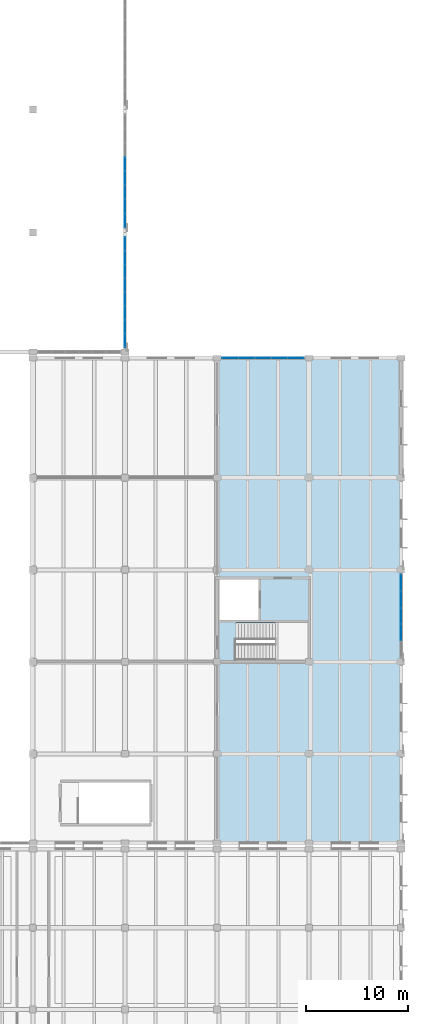
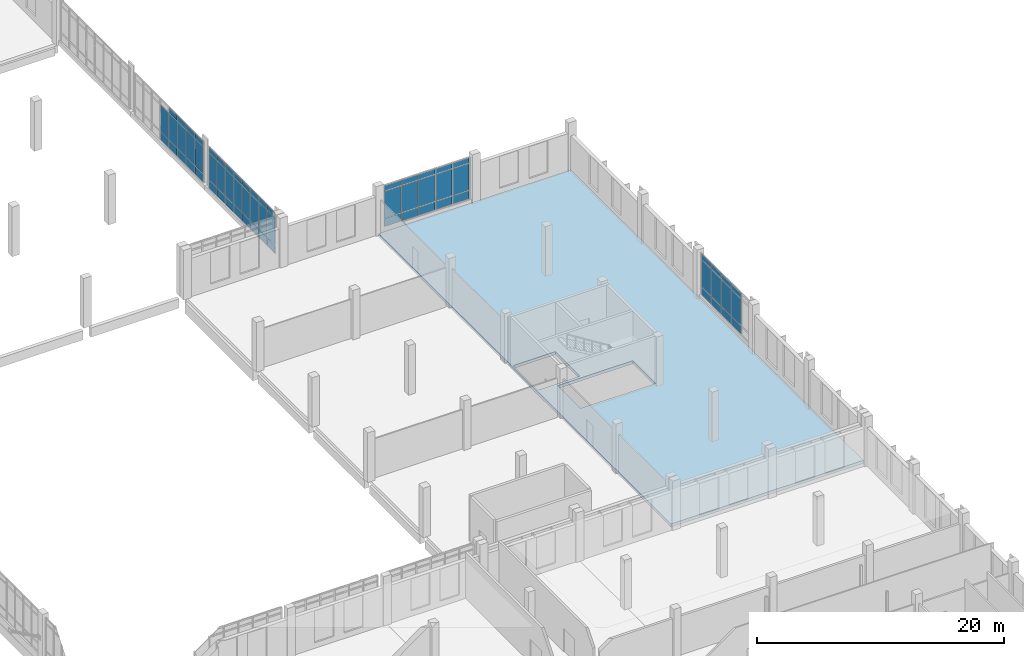
# One storey, part 67 of 110: 65 plates, 1 slab, 4 elements without a shape of their own.
"""IFC4 building model written with IfcOpenShell, lengths in metres."""

from ifc_helpers import new_model, si_unit, direction, frame, origin, origin_2d, place, context, subcontext, project, spatial, polyline, rectangle, outline, extrude, material, layer, layer_set, type_object, element, aggregate, save


model = new_model("IFC4")

# Units and contexts
model_context = context("Model", 3, precision=1e-05, world=origin(), true_north=direction((0.0, 1.0)))
body_context = subcontext(model_context, "Body", "Model", "MODEL_VIEW")
ifc_project = project(units=[si_unit("LENGTHUNIT", "METRE"), si_unit("AREAUNIT", "SQUARE_METRE"), si_unit("VOLUMEUNIT", "CUBIC_METRE"), si_unit("PLANEANGLEUNIT", "RADIAN"), si_unit("MASSUNIT", "GRAM", prefix="KILO")], contexts=[model_context])

# Site, building, storey
site_placement = place(None, origin())
site = spatial("IfcSite", under=ifc_project, at=site_placement, CompositionType="ELEMENT")
building_placement = place(site_placement, origin())
building = spatial("IfcBuilding", under=site, at=building_placement, Name="Zacnel Wholesale Market", CompositionType="ELEMENT")
storey_placement = place(building_placement, frame((0.0, 0.0, 6.300048828125)))
storey = spatial("IfcBuildingStorey", under=building, at=storey_placement, Name="L02", CompositionType="ELEMENT", Elevation=6.300048828125)

# Curtain wall, plates
ifc_material_1 = material(Name="Anodised aluminium", Category="aluminium")
ifc_layer_1 = layer(ifc_material_1, 0.159912109375)
ifc_layer_set_1 = layer_set([ifc_layer_1], Name="Anodised aluminium")
curtain_wall_type_1 = type_object("IfcCurtainWallType", Name="CW-COURT-4500", PredefinedType="NOTDEFINED", material=ifc_layer_set_1)
curtain_wall_1_placement = place(storey_placement, origin())
curtain_wall_1 = element("IfcCurtainWall", 1, at=curtain_wall_1_placement, inside=storey, type_object=curtain_wall_type_1, Name="Curtain wall ENV-R2-CW-L02-046", PredefinedType="NOTDEFINED")
ifc_material_2 = material(Name="Laminated hurricane-impact low-E insulated glass", Category="glass")
ifc_layer_2 = layer(ifc_material_2, 0.028076171875)
ifc_layer_set_2 = layer_set([ifc_layer_2], Name="Laminated hurricane-impact low-E insulated glass")
plate_type_1 = type_object("IfcPlateType", Name="CWP-PNL-01", PredefinedType="CURTAIN_PANEL", material=ifc_layer_set_2)
plate_1_placement = place(storey_placement, frame((199.2958984375, 95.699951171875, 1.330078125), z_axis=(0.0, 0.0, 1.0), x_axis=(1.0, 0.0, 0.0)))
plate_1 = element("IfcPlate", 2, at=plate_1_placement, type_object=plate_type_1, Name="ENV-R2-CW-L02-046 panel 1-2", PredefinedType="CURTAIN_PANEL", context=body_context, shape_type="SweptSolid", body=[
    extrude(rectangle(XDim=1.531982421875, YDim=0.028076171875, at=origin_2d()), origin(), (0.0, 0.0, 1.0), 2.639892578125),
])
plate_2_placement = place(storey_placement, frame((200.89794921875, 95.699951171875, 1.330078125), z_axis=(0.0, 0.0, 1.0), x_axis=(1.0, 0.0, 0.0)))
plate_2 = element("IfcPlate", 3, at=plate_2_placement, type_object=plate_type_1, Name="ENV-R2-CW-L02-046 panel 2-2", PredefinedType="CURTAIN_PANEL", context=body_context, shape_type="SweptSolid", body=[
    extrude(rectangle(XDim=1.531982421875, YDim=0.028076171875, at=origin_2d()), origin(), (0.0, 0.0, 1.0), 2.639892578125),
])
plate_3_placement = place(storey_placement, frame((202.5, 95.699951171875, 1.330078125), z_axis=(0.0, 0.0, 1.0), x_axis=(1.0, 0.0, 0.0)))
plate_3 = element("IfcPlate", 4, at=plate_3_placement, type_object=plate_type_1, Name="ENV-R2-CW-L02-046 panel 3-2", PredefinedType="CURTAIN_PANEL", context=body_context, shape_type="SweptSolid", body=[
    extrude(rectangle(XDim=1.531982421875, YDim=0.028076171875, at=origin_2d()), origin(), (0.0, 0.0, 1.0), 2.639892578125),
])
plate_4_placement = place(storey_placement, frame((204.10205078125, 95.699951171875, 1.330078125), z_axis=(0.0, 0.0, 1.0), x_axis=(1.0, 0.0, 0.0)))
plate_4 = element("IfcPlate", 5, at=plate_4_placement, type_object=plate_type_1, Name="ENV-R2-CW-L02-046 panel 4-2", PredefinedType="CURTAIN_PANEL", context=body_context, shape_type="SweptSolid", body=[
    extrude(rectangle(XDim=1.531982421875, YDim=0.028076171875, at=origin_2d()), origin(), (0.0, 0.0, 1.0), 2.639892578125),
])
plate_5_placement = place(storey_placement, frame((205.7041015625, 95.699951171875, 1.330078125), z_axis=(0.0, 0.0, 1.0), x_axis=(1.0, 0.0, 0.0)))
plate_5 = element("IfcPlate", 6, at=plate_5_placement, type_object=plate_type_1, Name="ENV-R2-CW-L02-046 panel 5-2", PredefinedType="CURTAIN_PANEL", context=body_context, shape_type="SweptSolid", body=[
    extrude(rectangle(XDim=1.531982421875, YDim=0.028076171875, at=origin_2d()), origin(), (0.0, 0.0, 1.0), 2.639892578125),
])

curtain_wall_2_placement = place(storey_placement, origin())
curtain_wall_2 = element("IfcCurtainWall", 7, at=curtain_wall_2_placement, inside=storey, type_object=curtain_wall_type_1, Name="Curtain wall ENV-R2-CW-L02-047", PredefinedType="NOTDEFINED")
plate_6_placement = place(storey_placement, frame((216.0, 68.8798828125, 1.330078125), z_axis=(0.0, 0.0, 1.0), x_axis=(0.0, 1.0, 0.0)))
plate_6 = element("IfcPlate", 8, at=plate_6_placement, type_object=plate_type_1, Name="ENV-R2-CW-L02-047 panel 2-2", PredefinedType="CURTAIN_PANEL", context=body_context, shape_type="SweptSolid", body=[
    extrude(rectangle(XDim=1.550048828125, YDim=0.028076171875, at=origin_2d()), origin(), (0.0, 0.0, 1.0), 2.639892578125),
])
plate_7_placement = place(storey_placement, frame((216.0, 70.5, 1.330078125), z_axis=(0.0, 0.0, 1.0), x_axis=(0.0, 1.0, 0.0)))
plate_7 = element("IfcPlate", 9, at=plate_7_placement, type_object=plate_type_1, Name="ENV-R2-CW-L02-047 panel 3-2", PredefinedType="CURTAIN_PANEL", context=body_context, shape_type="SweptSolid", body=[
    extrude(rectangle(XDim=1.550048828125, YDim=0.028076171875, at=origin_2d()), origin(), (0.0, 0.0, 1.0), 2.639892578125),
])
plate_8_placement = place(storey_placement, frame((216.0, 72.1201171875, 1.330078125), z_axis=(0.0, 0.0, 1.0), x_axis=(0.0, 1.0, 0.0)))
plate_8 = element("IfcPlate", 10, at=plate_8_placement, type_object=plate_type_1, Name="ENV-R2-CW-L02-047 panel 4-2", PredefinedType="CURTAIN_PANEL", context=body_context, shape_type="SweptSolid", body=[
    extrude(rectangle(XDim=1.550048828125, YDim=0.028076171875, at=origin_2d()), origin(), (0.0, 0.0, 1.0), 2.639892578125),
])
plate_9_placement = place(storey_placement, frame((216.0, 73.739990234375, 1.330078125), z_axis=(0.0, 0.0, 1.0), x_axis=(0.0, 1.0, 0.0)))
plate_9 = element("IfcPlate", 11, at=plate_9_placement, type_object=plate_type_1, Name="ENV-R2-CW-L02-047 panel 5-2", PredefinedType="CURTAIN_PANEL", context=body_context, shape_type="SweptSolid", body=[
    extrude(rectangle(XDim=1.550048828125, YDim=0.028076171875, at=origin_2d()), origin(), (0.0, 0.0, 1.0), 2.639892578125),
])

ifc_material_3 = material(Name="Anodised aluminium", Category="aluminium")
ifc_layer_3 = layer(ifc_material_3, 0.159912109375)
ifc_layer_set_3 = layer_set([ifc_layer_3], Name="Anodised aluminium")
curtain_wall_type_2 = type_object("IfcCurtainWallType", Name="CW-NAVE-4200", PredefinedType="NOTDEFINED", material=ifc_layer_set_3)
curtain_wall_3_placement = place(storey_placement, origin())
curtain_wall_3 = element("IfcCurtainWall", 12, at=curtain_wall_3_placement, inside=storey, type_object=curtain_wall_type_2, Name="Curtain wall ENV-R2-CW-L02-032", PredefinedType="NOTDEFINED")
ifc_material_4 = material(Name="Laminated hurricane-impact low-E insulated glass", Category="glass")
ifc_layer_4 = layer(ifc_material_4, 0.031982421875)
ifc_layer_set_4 = layer_set([ifc_layer_4], Name="Laminated hurricane-impact low-E insulated glass")
plate_type_2 = type_object("IfcPlateType", Name="CWP-PNL-02", PredefinedType="CURTAIN_PANEL", material=ifc_layer_set_4)
plate_10_placement = place(storey_placement, frame((189.0, 97.425048828125, 1.330078125), z_axis=(0.0, 0.0, 1.0), x_axis=(0.0, 1.0, 0.0)))
plate_10 = element("IfcPlate", 13, at=plate_10_placement, type_object=plate_type_2, Name="ENV-R2-CW-L02-032 panel 1-2", PredefinedType="CURTAIN_PANEL", context=body_context, shape_type="SweptSolid", body=[
    extrude(rectangle(XDim=1.280029296875, YDim=0.031982421875, at=origin_2d()), origin(), (0.0, 0.0, 1.0), 2.639892578125),
])
plate_11_placement = place(storey_placement, frame((189.0, 98.77490234375, 1.330078125), z_axis=(0.0, 0.0, 1.0), x_axis=(0.0, 1.0, 0.0)))
plate_11 = element("IfcPlate", 14, at=plate_11_placement, type_object=plate_type_2, Name="ENV-R2-CW-L02-032 panel 2-2", PredefinedType="CURTAIN_PANEL", context=body_context, shape_type="SweptSolid", body=[
    extrude(rectangle(XDim=1.280029296875, YDim=0.031982421875, at=origin_2d()), origin(), (0.0, 0.0, 1.0), 2.639892578125),
])
plate_12_placement = place(storey_placement, frame((189.0, 100.125, 1.330078125), z_axis=(0.0, 0.0, 1.0), x_axis=(0.0, 1.0, 0.0)))
plate_12 = element("IfcPlate", 15, at=plate_12_placement, type_object=plate_type_2, Name="ENV-R2-CW-L02-032 panel 3-2", PredefinedType="CURTAIN_PANEL", context=body_context, shape_type="SweptSolid", body=[
    extrude(rectangle(XDim=1.280029296875, YDim=0.031982421875, at=origin_2d()), origin(), (0.0, 0.0, 1.0), 2.639892578125),
])
plate_13_placement = place(storey_placement, frame((189.0, 101.47509765625, 1.330078125), z_axis=(0.0, 0.0, 1.0), x_axis=(0.0, 1.0, 0.0)))
plate_13 = element("IfcPlate", 16, at=plate_13_placement, type_object=plate_type_2, Name="ENV-R2-CW-L02-032 panel 4-2", PredefinedType="CURTAIN_PANEL", context=body_context, shape_type="SweptSolid", body=[
    extrude(rectangle(XDim=1.280029296875, YDim=0.031982421875, at=origin_2d()), origin(), (0.0, 0.0, 1.0), 2.639892578125),
])
plate_14_placement = place(storey_placement, frame((189.0, 102.824951171875, 1.330078125), z_axis=(0.0, 0.0, 1.0), x_axis=(0.0, 1.0, 0.0)))
plate_14 = element("IfcPlate", 17, at=plate_14_placement, type_object=plate_type_2, Name="ENV-R2-CW-L02-032 panel 5-2", PredefinedType="CURTAIN_PANEL", context=body_context, shape_type="SweptSolid", body=[
    extrude(rectangle(XDim=1.280029296875, YDim=0.031982421875, at=origin_2d()), origin(), (0.0, 0.0, 1.0), 2.639892578125),
])
plate_15_placement = place(storey_placement, frame((189.0, 104.175048828125, 1.330078125), z_axis=(0.0, 0.0, 1.0), x_axis=(0.0, 1.0, 0.0)))
plate_15 = element("IfcPlate", 18, at=plate_15_placement, type_object=plate_type_2, Name="ENV-R2-CW-L02-032 panel 6-2", PredefinedType="CURTAIN_PANEL", context=body_context, shape_type="SweptSolid", body=[
    extrude(rectangle(XDim=1.280029296875, YDim=0.031982421875, at=origin_2d()), origin(), (0.0, 0.0, 1.0), 2.639892578125),
])
plate_16_placement = place(storey_placement, frame((189.0, 105.52490234375, 1.330078125), z_axis=(0.0, 0.0, 1.0), x_axis=(0.0, 1.0, 0.0)))
plate_16 = element("IfcPlate", 19, at=plate_16_placement, type_object=plate_type_2, Name="ENV-R2-CW-L02-032 panel 7-2", PredefinedType="CURTAIN_PANEL", context=body_context, shape_type="SweptSolid", body=[
    extrude(rectangle(XDim=1.280029296875, YDim=0.031982421875, at=origin_2d()), origin(), (0.0, 0.0, 1.0), 2.639892578125),
])
plate_17_placement = place(storey_placement, frame((189.0, 106.875, 1.330078125), z_axis=(0.0, 0.0, 1.0), x_axis=(0.0, 1.0, 0.0)))
plate_17 = element("IfcPlate", 20, at=plate_17_placement, type_object=plate_type_2, Name="ENV-R2-CW-L02-032 panel 8-2", PredefinedType="CURTAIN_PANEL", context=body_context, shape_type="SweptSolid", body=[
    extrude(rectangle(XDim=1.280029296875, YDim=0.031982421875, at=origin_2d()), origin(), (0.0, 0.0, 1.0), 2.639892578125),
])

curtain_wall_4_placement = place(storey_placement, origin())
curtain_wall_4 = element("IfcCurtainWall", 21, at=curtain_wall_4_placement, inside=storey, type_object=curtain_wall_type_2, Name="Curtain wall ENV-R2-CW-L02-033", PredefinedType="NOTDEFINED")
plate_18_placement = place(storey_placement, frame((189.0, 109.143798828125, 1.330078125), z_axis=(0.0, 0.0, 1.0), x_axis=(0.0, 1.0, 0.0)))
plate_18 = element("IfcPlate", 22, at=plate_18_placement, type_object=plate_type_2, Name="ENV-R2-CW-L02-033 panel 1-2", PredefinedType="CURTAIN_PANEL", context=body_context, shape_type="SweptSolid", body=[
    extrude(rectangle(XDim=1.3173828125, YDim=0.031982421875, at=origin_2d()), origin(), (0.0, 0.0, 1.0), 2.639892578125),
])
plate_19_placement = place(storey_placement, frame((189.0, 110.53125, 1.330078125), z_axis=(0.0, 0.0, 1.0), x_axis=(0.0, 1.0, 0.0)))
plate_19 = element("IfcPlate", 23, at=plate_19_placement, type_object=plate_type_2, Name="ENV-R2-CW-L02-033 panel 2-2", PredefinedType="CURTAIN_PANEL", context=body_context, shape_type="SweptSolid", body=[
    extrude(rectangle(XDim=1.3173828125, YDim=0.031982421875, at=origin_2d()), origin(), (0.0, 0.0, 1.0), 2.639892578125),
])
plate_20_placement = place(storey_placement, frame((189.0, 111.918701171875, 1.330078125), z_axis=(0.0, 0.0, 1.0), x_axis=(0.0, 1.0, 0.0)))
plate_20 = element("IfcPlate", 24, at=plate_20_placement, type_object=plate_type_2, Name="ENV-R2-CW-L02-033 panel 3-2", PredefinedType="CURTAIN_PANEL", context=body_context, shape_type="SweptSolid", body=[
    extrude(rectangle(XDim=1.3173828125, YDim=0.031982421875, at=origin_2d()), origin(), (0.0, 0.0, 1.0), 2.639892578125),
])
plate_21_placement = place(storey_placement, frame((189.0, 113.306396484375, 1.330078125), z_axis=(0.0, 0.0, 1.0), x_axis=(0.0, 1.0, 0.0)))
plate_21 = element("IfcPlate", 25, at=plate_21_placement, type_object=plate_type_2, Name="ENV-R2-CW-L02-033 panel 4-2", PredefinedType="CURTAIN_PANEL", context=body_context, shape_type="SweptSolid", body=[
    extrude(rectangle(XDim=1.3173828125, YDim=0.031982421875, at=origin_2d()), origin(), (0.0, 0.0, 1.0), 2.639892578125),
])
plate_22_placement = place(storey_placement, frame((189.0, 114.693603515625, 1.330078125), z_axis=(0.0, 0.0, 1.0), x_axis=(0.0, 1.0, 0.0)))
plate_22 = element("IfcPlate", 26, at=plate_22_placement, type_object=plate_type_2, Name="ENV-R2-CW-L02-033 panel 5-2", PredefinedType="CURTAIN_PANEL", context=body_context, shape_type="SweptSolid", body=[
    extrude(rectangle(XDim=1.3173828125, YDim=0.031982421875, at=origin_2d()), origin(), (0.0, 0.0, 1.0), 2.639892578125),
])

# Plate
ifc_material_5 = material(Name="Anodised aluminium", Category="aluminium")
ifc_layer_5 = layer(ifc_material_5, 0.0400390625)
ifc_layer_set_5 = layer_set([ifc_layer_5], Name="Anodised aluminium")
plate_type_3 = type_object("IfcPlateType", Name="CWP-PNL-05", PredefinedType="CURTAIN_PANEL", material=ifc_layer_set_5)
plate_23_placement = place(storey_placement, frame((189.0, 97.425048828125, 0.47998046875), z_axis=(0.0, 0.0, 1.0), x_axis=(0.0, 1.0, 0.0)))
plate_23 = element("IfcPlate", 27, at=plate_23_placement, type_object=plate_type_3, Name="ENV-R2-CW-L02-032 panel 1-1", PredefinedType="CURTAIN_PANEL", context=body_context, shape_type="SweptSolid", body=[
    extrude(rectangle(XDim=1.280029296875, YDim=0.0400390625, at=origin_2d()), origin(), (0.0, 0.0, 1.0), 0.7900390625),
])

plate_24_placement = place(storey_placement, frame((189.0, 97.425048828125, 4.02978515625), z_axis=(0.0, 0.0, 1.0), x_axis=(0.0, 1.0, 0.0)))
plate_24 = element("IfcPlate", 28, at=plate_24_placement, type_object=plate_type_3, Name="ENV-R2-CW-L02-032 panel 1-3", PredefinedType="CURTAIN_PANEL", context=body_context, shape_type="SweptSolid", body=[
    extrude(rectangle(XDim=1.280029296875, YDim=0.0400390625, at=origin_2d()), origin(), (0.0, 0.0, 1.0), 0.489990234375),
])

plate_25_placement = place(storey_placement, frame((189.0, 100.125, 0.47998046875), z_axis=(0.0, 0.0, 1.0), x_axis=(0.0, 1.0, 0.0)))
plate_25 = element("IfcPlate", 29, at=plate_25_placement, type_object=plate_type_3, Name="ENV-R2-CW-L02-032 panel 3-1", PredefinedType="CURTAIN_PANEL", context=body_context, shape_type="SweptSolid", body=[
    extrude(rectangle(XDim=1.280029296875, YDim=0.0400390625, at=origin_2d()), origin(), (0.0, 0.0, 1.0), 0.7900390625),
])

plate_26_placement = place(storey_placement, frame((189.0, 100.125, 4.02978515625), z_axis=(0.0, 0.0, 1.0), x_axis=(0.0, 1.0, 0.0)))
plate_26 = element("IfcPlate", 30, at=plate_26_placement, type_object=plate_type_3, Name="ENV-R2-CW-L02-032 panel 3-3", PredefinedType="CURTAIN_PANEL", context=body_context, shape_type="SweptSolid", body=[
    extrude(rectangle(XDim=1.280029296875, YDim=0.0400390625, at=origin_2d()), origin(), (0.0, 0.0, 1.0), 0.489990234375),
])

plate_27_placement = place(storey_placement, frame((189.0, 102.824951171875, 0.47998046875), z_axis=(0.0, 0.0, 1.0), x_axis=(0.0, 1.0, 0.0)))
plate_27 = element("IfcPlate", 31, at=plate_27_placement, type_object=plate_type_3, Name="ENV-R2-CW-L02-032 panel 5-1", PredefinedType="CURTAIN_PANEL", context=body_context, shape_type="SweptSolid", body=[
    extrude(rectangle(XDim=1.280029296875, YDim=0.0400390625, at=origin_2d()), origin(), (0.0, 0.0, 1.0), 0.7900390625),
])

plate_28_placement = place(storey_placement, frame((189.0, 102.824951171875, 4.02978515625), z_axis=(0.0, 0.0, 1.0), x_axis=(0.0, 1.0, 0.0)))
plate_28 = element("IfcPlate", 32, at=plate_28_placement, type_object=plate_type_3, Name="ENV-R2-CW-L02-032 panel 5-3", PredefinedType="CURTAIN_PANEL", context=body_context, shape_type="SweptSolid", body=[
    extrude(rectangle(XDim=1.280029296875, YDim=0.0400390625, at=origin_2d()), origin(), (0.0, 0.0, 1.0), 0.489990234375),
])

plate_29_placement = place(storey_placement, frame((189.0, 105.52490234375, 0.47998046875), z_axis=(0.0, 0.0, 1.0), x_axis=(0.0, 1.0, 0.0)))
plate_29 = element("IfcPlate", 33, at=plate_29_placement, type_object=plate_type_3, Name="ENV-R2-CW-L02-032 panel 7-1", PredefinedType="CURTAIN_PANEL", context=body_context, shape_type="SweptSolid", body=[
    extrude(rectangle(XDim=1.280029296875, YDim=0.0400390625, at=origin_2d()), origin(), (0.0, 0.0, 1.0), 0.7900390625),
])

plate_30_placement = place(storey_placement, frame((189.0, 105.52490234375, 4.02978515625), z_axis=(0.0, 0.0, 1.0), x_axis=(0.0, 1.0, 0.0)))
plate_30 = element("IfcPlate", 34, at=plate_30_placement, type_object=plate_type_3, Name="ENV-R2-CW-L02-032 panel 7-3", PredefinedType="CURTAIN_PANEL", context=body_context, shape_type="SweptSolid", body=[
    extrude(rectangle(XDim=1.280029296875, YDim=0.0400390625, at=origin_2d()), origin(), (0.0, 0.0, 1.0), 0.489990234375),
])

plate_31_placement = place(storey_placement, frame((189.0, 109.143798828125, 0.47998046875), z_axis=(0.0, 0.0, 1.0), x_axis=(0.0, 1.0, 0.0)))
plate_31 = element("IfcPlate", 35, at=plate_31_placement, type_object=plate_type_3, Name="ENV-R2-CW-L02-033 panel 1-1", PredefinedType="CURTAIN_PANEL", context=body_context, shape_type="SweptSolid", body=[
    extrude(rectangle(XDim=1.3173828125, YDim=0.0400390625, at=origin_2d()), origin(), (0.0, 0.0, 1.0), 0.7900390625),
])

plate_32_placement = place(storey_placement, frame((189.0, 109.143798828125, 4.02978515625), z_axis=(0.0, 0.0, 1.0), x_axis=(0.0, 1.0, 0.0)))
plate_32 = element("IfcPlate", 36, at=plate_32_placement, type_object=plate_type_3, Name="ENV-R2-CW-L02-033 panel 1-3", PredefinedType="CURTAIN_PANEL", context=body_context, shape_type="SweptSolid", body=[
    extrude(rectangle(XDim=1.3173828125, YDim=0.0400390625, at=origin_2d()), origin(), (0.0, 0.0, 1.0), 0.489990234375),
])

plate_33_placement = place(storey_placement, frame((189.0, 111.918701171875, 0.47998046875), z_axis=(0.0, 0.0, 1.0), x_axis=(0.0, 1.0, 0.0)))
plate_33 = element("IfcPlate", 37, at=plate_33_placement, type_object=plate_type_3, Name="ENV-R2-CW-L02-033 panel 3-1", PredefinedType="CURTAIN_PANEL", context=body_context, shape_type="SweptSolid", body=[
    extrude(rectangle(XDim=1.3173828125, YDim=0.0400390625, at=origin_2d()), origin(), (0.0, 0.0, 1.0), 0.7900390625),
])

plate_34_placement = place(storey_placement, frame((189.0, 111.918701171875, 4.02978515625), z_axis=(0.0, 0.0, 1.0), x_axis=(0.0, 1.0, 0.0)))
plate_34 = element("IfcPlate", 38, at=plate_34_placement, type_object=plate_type_3, Name="ENV-R2-CW-L02-033 panel 3-3", PredefinedType="CURTAIN_PANEL", context=body_context, shape_type="SweptSolid", body=[
    extrude(rectangle(XDim=1.3173828125, YDim=0.0400390625, at=origin_2d()), origin(), (0.0, 0.0, 1.0), 0.489990234375),
])

plate_35_placement = place(storey_placement, frame((189.0, 114.693603515625, 0.47998046875), z_axis=(0.0, 0.0, 1.0), x_axis=(0.0, 1.0, 0.0)))
plate_35 = element("IfcPlate", 39, at=plate_35_placement, type_object=plate_type_3, Name="ENV-R2-CW-L02-033 panel 5-1", PredefinedType="CURTAIN_PANEL", context=body_context, shape_type="SweptSolid", body=[
    extrude(rectangle(XDim=1.3173828125, YDim=0.0400390625, at=origin_2d()), origin(), (0.0, 0.0, 1.0), 0.7900390625),
])

plate_36_placement = place(storey_placement, frame((199.2958984375, 95.699951171875, 0.47998046875), z_axis=(0.0, 0.0, 1.0), x_axis=(1.0, 0.0, 0.0)))
plate_36 = element("IfcPlate", 40, at=plate_36_placement, type_object=plate_type_3, Name="ENV-R2-CW-L02-046 panel 1-1", PredefinedType="CURTAIN_PANEL", context=body_context, shape_type="SweptSolid", body=[
    extrude(rectangle(XDim=1.531982421875, YDim=0.0400390625, at=origin_2d()), origin(), (0.0, 0.0, 1.0), 0.7900390625),
])

plate_37_placement = place(storey_placement, frame((199.2958984375, 95.699951171875, 4.02978515625), z_axis=(0.0, 0.0, 1.0), x_axis=(1.0, 0.0, 0.0)))
plate_37 = element("IfcPlate", 41, at=plate_37_placement, type_object=plate_type_3, Name="ENV-R2-CW-L02-046 panel 1-3", PredefinedType="CURTAIN_PANEL", context=body_context, shape_type="SweptSolid", body=[
    extrude(rectangle(XDim=1.531982421875, YDim=0.0400390625, at=origin_2d()), origin(), (0.0, 0.0, 1.0), 0.489990234375),
])

plate_38_placement = place(storey_placement, frame((202.5, 95.699951171875, 0.47998046875), z_axis=(0.0, 0.0, 1.0), x_axis=(1.0, 0.0, 0.0)))
plate_38 = element("IfcPlate", 42, at=plate_38_placement, type_object=plate_type_3, Name="ENV-R2-CW-L02-046 panel 3-1", PredefinedType="CURTAIN_PANEL", context=body_context, shape_type="SweptSolid", body=[
    extrude(rectangle(XDim=1.531982421875, YDim=0.0400390625, at=origin_2d()), origin(), (0.0, 0.0, 1.0), 0.7900390625),
])

plate_39_placement = place(storey_placement, frame((202.5, 95.699951171875, 4.02978515625), z_axis=(0.0, 0.0, 1.0), x_axis=(1.0, 0.0, 0.0)))
plate_39 = element("IfcPlate", 43, at=plate_39_placement, type_object=plate_type_3, Name="ENV-R2-CW-L02-046 panel 3-3", PredefinedType="CURTAIN_PANEL", context=body_context, shape_type="SweptSolid", body=[
    extrude(rectangle(XDim=1.531982421875, YDim=0.0400390625, at=origin_2d()), origin(), (0.0, 0.0, 1.0), 0.489990234375),
])

plate_40_placement = place(storey_placement, frame((205.7041015625, 95.699951171875, 0.47998046875), z_axis=(0.0, 0.0, 1.0), x_axis=(1.0, 0.0, 0.0)))
plate_40 = element("IfcPlate", 44, at=plate_40_placement, type_object=plate_type_3, Name="ENV-R2-CW-L02-046 panel 5-1", PredefinedType="CURTAIN_PANEL", context=body_context, shape_type="SweptSolid", body=[
    extrude(rectangle(XDim=1.531982421875, YDim=0.0400390625, at=origin_2d()), origin(), (0.0, 0.0, 1.0), 0.7900390625),
])

plate_41_placement = place(storey_placement, frame((205.7041015625, 95.699951171875, 4.02978515625), z_axis=(0.0, 0.0, 1.0), x_axis=(1.0, 0.0, 0.0)))
plate_41 = element("IfcPlate", 45, at=plate_41_placement, type_object=plate_type_3, Name="ENV-R2-CW-L02-046 panel 5-3", PredefinedType="CURTAIN_PANEL", context=body_context, shape_type="SweptSolid", body=[
    extrude(rectangle(XDim=1.531982421875, YDim=0.0400390625, at=origin_2d()), origin(), (0.0, 0.0, 1.0), 0.489990234375),
])

plate_42_placement = place(storey_placement, frame((216.0, 70.5, 0.47998046875), z_axis=(0.0, 0.0, 1.0), x_axis=(0.0, 1.0, 0.0)))
plate_42 = element("IfcPlate", 46, at=plate_42_placement, type_object=plate_type_3, Name="ENV-R2-CW-L02-047 panel 3-1", PredefinedType="CURTAIN_PANEL", context=body_context, shape_type="SweptSolid", body=[
    extrude(rectangle(XDim=1.550048828125, YDim=0.0400390625, at=origin_2d()), origin(), (0.0, 0.0, 1.0), 0.7900390625),
])

plate_43_placement = place(storey_placement, frame((216.0, 70.5, 4.02978515625), z_axis=(0.0, 0.0, 1.0), x_axis=(0.0, 1.0, 0.0)))
plate_43 = element("IfcPlate", 47, at=plate_43_placement, type_object=plate_type_3, Name="ENV-R2-CW-L02-047 panel 3-3", PredefinedType="CURTAIN_PANEL", context=body_context, shape_type="SweptSolid", body=[
    extrude(rectangle(XDim=1.550048828125, YDim=0.0400390625, at=origin_2d()), origin(), (0.0, 0.0, 1.0), 0.489990234375),
])

plate_44_placement = place(storey_placement, frame((216.0, 73.739990234375, 0.47998046875), z_axis=(0.0, 0.0, 1.0), x_axis=(0.0, 1.0, 0.0)))
plate_44 = element("IfcPlate", 48, at=plate_44_placement, type_object=plate_type_3, Name="ENV-R2-CW-L02-047 panel 5-1", PredefinedType="CURTAIN_PANEL", context=body_context, shape_type="SweptSolid", body=[
    extrude(rectangle(XDim=1.550048828125, YDim=0.0400390625, at=origin_2d()), origin(), (0.0, 0.0, 1.0), 0.7900390625),
])

plate_45_placement = place(storey_placement, frame((216.0, 73.739990234375, 4.02978515625), z_axis=(0.0, 0.0, 1.0), x_axis=(0.0, 1.0, 0.0)))
plate_45 = element("IfcPlate", 49, at=plate_45_placement, type_object=plate_type_3, Name="ENV-R2-CW-L02-047 panel 5-3", PredefinedType="CURTAIN_PANEL", context=body_context, shape_type="SweptSolid", body=[
    extrude(rectangle(XDim=1.550048828125, YDim=0.0400390625, at=origin_2d()), origin(), (0.0, 0.0, 1.0), 0.489990234375),
])

ifc_material_6 = material(Name="Honed Yucatan Maya cream limestone", Category="masonry")
ifc_layer_6 = layer(ifc_material_6, 0.044921875)
ifc_layer_set_6 = layer_set([ifc_layer_6], Name="Honed Yucatan Maya cream limestone")
plate_type_4 = type_object("IfcPlateType", Name="CWP-PNL-06", PredefinedType="CURTAIN_PANEL", material=ifc_layer_set_6)
plate_46_placement = place(storey_placement, frame((189.0, 98.77490234375, 0.47998046875), z_axis=(0.0, 0.0, 1.0), x_axis=(0.0, 1.0, 0.0)))
plate_46 = element("IfcPlate", 50, at=plate_46_placement, type_object=plate_type_4, Name="ENV-R2-CW-L02-032 panel 2-1", PredefinedType="CURTAIN_PANEL", context=body_context, shape_type="SweptSolid", body=[
    extrude(rectangle(XDim=1.280029296875, YDim=0.044921875, at=origin_2d()), origin(), (0.0, 0.0, 1.0), 0.7900390625),
])

plate_47_placement = place(storey_placement, frame((189.0, 98.77490234375, 4.02978515625), z_axis=(0.0, 0.0, 1.0), x_axis=(0.0, 1.0, 0.0)))
plate_47 = element("IfcPlate", 51, at=plate_47_placement, type_object=plate_type_4, Name="ENV-R2-CW-L02-032 panel 2-3", PredefinedType="CURTAIN_PANEL", context=body_context, shape_type="SweptSolid", body=[
    extrude(rectangle(XDim=1.280029296875, YDim=0.044921875, at=origin_2d()), origin(), (0.0, 0.0, 1.0), 0.489990234375),
])

plate_48_placement = place(storey_placement, frame((189.0, 101.47509765625, 0.47998046875), z_axis=(0.0, 0.0, 1.0), x_axis=(0.0, 1.0, 0.0)))
plate_48 = element("IfcPlate", 52, at=plate_48_placement, type_object=plate_type_4, Name="ENV-R2-CW-L02-032 panel 4-1", PredefinedType="CURTAIN_PANEL", context=body_context, shape_type="SweptSolid", body=[
    extrude(rectangle(XDim=1.280029296875, YDim=0.044921875, at=origin_2d()), origin(), (0.0, 0.0, 1.0), 0.7900390625),
])

plate_49_placement = place(storey_placement, frame((189.0, 101.47509765625, 4.02978515625), z_axis=(0.0, 0.0, 1.0), x_axis=(0.0, 1.0, 0.0)))
plate_49 = element("IfcPlate", 53, at=plate_49_placement, type_object=plate_type_4, Name="ENV-R2-CW-L02-032 panel 4-3", PredefinedType="CURTAIN_PANEL", context=body_context, shape_type="SweptSolid", body=[
    extrude(rectangle(XDim=1.280029296875, YDim=0.044921875, at=origin_2d()), origin(), (0.0, 0.0, 1.0), 0.489990234375),
])

plate_50_placement = place(storey_placement, frame((189.0, 104.175048828125, 0.47998046875), z_axis=(0.0, 0.0, 1.0), x_axis=(0.0, 1.0, 0.0)))
plate_50 = element("IfcPlate", 54, at=plate_50_placement, type_object=plate_type_4, Name="ENV-R2-CW-L02-032 panel 6-1", PredefinedType="CURTAIN_PANEL", context=body_context, shape_type="SweptSolid", body=[
    extrude(rectangle(XDim=1.280029296875, YDim=0.044921875, at=origin_2d()), origin(), (0.0, 0.0, 1.0), 0.7900390625),
])

plate_51_placement = place(storey_placement, frame((189.0, 104.175048828125, 4.02978515625), z_axis=(0.0, 0.0, 1.0), x_axis=(0.0, 1.0, 0.0)))
plate_51 = element("IfcPlate", 55, at=plate_51_placement, type_object=plate_type_4, Name="ENV-R2-CW-L02-032 panel 6-3", PredefinedType="CURTAIN_PANEL", context=body_context, shape_type="SweptSolid", body=[
    extrude(rectangle(XDim=1.280029296875, YDim=0.044921875, at=origin_2d()), origin(), (0.0, 0.0, 1.0), 0.489990234375),
])

plate_52_placement = place(storey_placement, frame((189.0, 106.875, 0.47998046875), z_axis=(0.0, 0.0, 1.0), x_axis=(0.0, 1.0, 0.0)))
plate_52 = element("IfcPlate", 56, at=plate_52_placement, type_object=plate_type_4, Name="ENV-R2-CW-L02-032 panel 8-1", PredefinedType="CURTAIN_PANEL", context=body_context, shape_type="SweptSolid", body=[
    extrude(rectangle(XDim=1.280029296875, YDim=0.044921875, at=origin_2d()), origin(), (0.0, 0.0, 1.0), 0.7900390625),
])

plate_53_placement = place(storey_placement, frame((189.0, 106.875, 4.02978515625), z_axis=(0.0, 0.0, 1.0), x_axis=(0.0, 1.0, 0.0)))
plate_53 = element("IfcPlate", 57, at=plate_53_placement, type_object=plate_type_4, Name="ENV-R2-CW-L02-032 panel 8-3", PredefinedType="CURTAIN_PANEL", context=body_context, shape_type="SweptSolid", body=[
    extrude(rectangle(XDim=1.280029296875, YDim=0.044921875, at=origin_2d()), origin(), (0.0, 0.0, 1.0), 0.489990234375),
])

aggregate(curtain_wall_3, [plate_23, plate_10, plate_24, plate_46, plate_11, plate_47, plate_25, plate_12, plate_26, plate_48, plate_13, plate_49, plate_27, plate_14, plate_28, plate_50, plate_15, plate_51, plate_29, plate_16, plate_30, plate_52, plate_17, plate_53])

plate_54_placement = place(storey_placement, frame((189.0, 110.53125, 0.47998046875), z_axis=(0.0, 0.0, 1.0), x_axis=(0.0, 1.0, 0.0)))
plate_54 = element("IfcPlate", 58, at=plate_54_placement, type_object=plate_type_4, Name="ENV-R2-CW-L02-033 panel 2-1", PredefinedType="CURTAIN_PANEL", context=body_context, shape_type="SweptSolid", body=[
    extrude(rectangle(XDim=1.3173828125, YDim=0.044921875, at=origin_2d()), origin(), (0.0, 0.0, 1.0), 0.7900390625),
])

plate_55_placement = place(storey_placement, frame((189.0, 110.53125, 4.02978515625), z_axis=(0.0, 0.0, 1.0), x_axis=(0.0, 1.0, 0.0)))
plate_55 = element("IfcPlate", 59, at=plate_55_placement, type_object=plate_type_4, Name="ENV-R2-CW-L02-033 panel 2-3", PredefinedType="CURTAIN_PANEL", context=body_context, shape_type="SweptSolid", body=[
    extrude(rectangle(XDim=1.3173828125, YDim=0.044921875, at=origin_2d()), origin(), (0.0, 0.0, 1.0), 0.489990234375),
])

plate_56_placement = place(storey_placement, frame((189.0, 113.306396484375, 0.47998046875), z_axis=(0.0, 0.0, 1.0), x_axis=(0.0, 1.0, 0.0)))
plate_56 = element("IfcPlate", 60, at=plate_56_placement, type_object=plate_type_4, Name="ENV-R2-CW-L02-033 panel 4-1", PredefinedType="CURTAIN_PANEL", context=body_context, shape_type="SweptSolid", body=[
    extrude(rectangle(XDim=1.3173828125, YDim=0.044921875, at=origin_2d()), origin(), (0.0, 0.0, 1.0), 0.7900390625),
])

plate_57_placement = place(storey_placement, frame((189.0, 113.306396484375, 4.02978515625), z_axis=(0.0, 0.0, 1.0), x_axis=(0.0, 1.0, 0.0)))
plate_57 = element("IfcPlate", 61, at=plate_57_placement, type_object=plate_type_4, Name="ENV-R2-CW-L02-033 panel 4-3", PredefinedType="CURTAIN_PANEL", context=body_context, shape_type="SweptSolid", body=[
    extrude(rectangle(XDim=1.3173828125, YDim=0.044921875, at=origin_2d()), origin(), (0.0, 0.0, 1.0), 0.489990234375),
])

aggregate(curtain_wall_4, [plate_31, plate_18, plate_32, plate_54, plate_19, plate_55, plate_33, plate_20, plate_34, plate_56, plate_21, plate_57, plate_35, plate_22])

plate_58_placement = place(storey_placement, frame((200.89794921875, 95.699951171875, 0.47998046875), z_axis=(0.0, 0.0, 1.0), x_axis=(1.0, 0.0, 0.0)))
plate_58 = element("IfcPlate", 62, at=plate_58_placement, type_object=plate_type_4, Name="ENV-R2-CW-L02-046 panel 2-1", PredefinedType="CURTAIN_PANEL", context=body_context, shape_type="SweptSolid", body=[
    extrude(rectangle(XDim=1.531982421875, YDim=0.044921875, at=origin_2d()), origin(), (0.0, 0.0, 1.0), 0.7900390625),
])

plate_59_placement = place(storey_placement, frame((200.89794921875, 95.699951171875, 4.02978515625), z_axis=(0.0, 0.0, 1.0), x_axis=(1.0, 0.0, 0.0)))
plate_59 = element("IfcPlate", 63, at=plate_59_placement, type_object=plate_type_4, Name="ENV-R2-CW-L02-046 panel 2-3", PredefinedType="CURTAIN_PANEL", context=body_context, shape_type="SweptSolid", body=[
    extrude(rectangle(XDim=1.531982421875, YDim=0.044921875, at=origin_2d()), origin(), (0.0, 0.0, 1.0), 0.489990234375),
])

plate_60_placement = place(storey_placement, frame((204.10205078125, 95.699951171875, 0.47998046875), z_axis=(0.0, 0.0, 1.0), x_axis=(1.0, 0.0, 0.0)))
plate_60 = element("IfcPlate", 64, at=plate_60_placement, type_object=plate_type_4, Name="ENV-R2-CW-L02-046 panel 4-1", PredefinedType="CURTAIN_PANEL", context=body_context, shape_type="SweptSolid", body=[
    extrude(rectangle(XDim=1.531982421875, YDim=0.044921875, at=origin_2d()), origin(), (0.0, 0.0, 1.0), 0.7900390625),
])

plate_61_placement = place(storey_placement, frame((204.10205078125, 95.699951171875, 4.02978515625), z_axis=(0.0, 0.0, 1.0), x_axis=(1.0, 0.0, 0.0)))
plate_61 = element("IfcPlate", 65, at=plate_61_placement, type_object=plate_type_4, Name="ENV-R2-CW-L02-046 panel 4-3", PredefinedType="CURTAIN_PANEL", context=body_context, shape_type="SweptSolid", body=[
    extrude(rectangle(XDim=1.531982421875, YDim=0.044921875, at=origin_2d()), origin(), (0.0, 0.0, 1.0), 0.489990234375),
])

aggregate(curtain_wall_1, [plate_36, plate_1, plate_37, plate_58, plate_2, plate_59, plate_38, plate_3, plate_39, plate_60, plate_4, plate_61, plate_40, plate_5, plate_41])

plate_62_placement = place(storey_placement, frame((216.0, 68.8798828125, 0.47998046875), z_axis=(0.0, 0.0, 1.0), x_axis=(0.0, 1.0, 0.0)))
plate_62 = element("IfcPlate", 66, at=plate_62_placement, type_object=plate_type_4, Name="ENV-R2-CW-L02-047 panel 2-1", PredefinedType="CURTAIN_PANEL", context=body_context, shape_type="SweptSolid", body=[
    extrude(rectangle(XDim=1.550048828125, YDim=0.044921875, at=origin_2d()), origin(), (0.0, 0.0, 1.0), 0.7900390625),
])

plate_63_placement = place(storey_placement, frame((216.0, 68.8798828125, 4.02978515625), z_axis=(0.0, 0.0, 1.0), x_axis=(0.0, 1.0, 0.0)))
plate_63 = element("IfcPlate", 67, at=plate_63_placement, type_object=plate_type_4, Name="ENV-R2-CW-L02-047 panel 2-3", PredefinedType="CURTAIN_PANEL", context=body_context, shape_type="SweptSolid", body=[
    extrude(rectangle(XDim=1.550048828125, YDim=0.044921875, at=origin_2d()), origin(), (0.0, 0.0, 1.0), 0.489990234375),
])

plate_64_placement = place(storey_placement, frame((216.0, 72.1201171875, 0.47998046875), z_axis=(0.0, 0.0, 1.0), x_axis=(0.0, 1.0, 0.0)))
plate_64 = element("IfcPlate", 68, at=plate_64_placement, type_object=plate_type_4, Name="ENV-R2-CW-L02-047 panel 4-1", PredefinedType="CURTAIN_PANEL", context=body_context, shape_type="SweptSolid", body=[
    extrude(rectangle(XDim=1.550048828125, YDim=0.044921875, at=origin_2d()), origin(), (0.0, 0.0, 1.0), 0.7900390625),
])

plate_65_placement = place(storey_placement, frame((216.0, 72.1201171875, 4.02978515625), z_axis=(0.0, 0.0, 1.0), x_axis=(0.0, 1.0, 0.0)))
plate_65 = element("IfcPlate", 69, at=plate_65_placement, type_object=plate_type_4, Name="ENV-R2-CW-L02-047 panel 4-3", PredefinedType="CURTAIN_PANEL", context=body_context, shape_type="SweptSolid", body=[
    extrude(rectangle(XDim=1.550048828125, YDim=0.044921875, at=origin_2d()), origin(), (0.0, 0.0, 1.0), 0.489990234375),
])

aggregate(curtain_wall_2, [plate_62, plate_6, plate_63, plate_42, plate_7, plate_43, plate_64, plate_8, plate_65, plate_44, plate_9, plate_45])

# Slab
ifc_material_7 = material(Name="Precast concrete C45/55", Category="concrete")
ifc_layer_7 = layer(ifc_material_7, 0.300048828125)
ifc_layer_set_7 = layer_set([ifc_layer_7], Name="Precast concrete C45/55")
slab_type = type_object("IfcSlabType", Name="SLB-FLR-300", PredefinedType="FLOOR", material=ifc_layer_set_7)
slab_placement = place(storey_placement, frame((0.0, 0.0, -0.300048828125)))
element("IfcSlab", 70, at=slab_placement, inside=storey, type_object=slab_type, Name="Structural slab SLB-L02-V1E-P2", PredefinedType="FLOOR", context=body_context, shape_type="SweptSolid", body=[
    extrude(outline(polyline([(216.0, 48.300048828125), (198.0, 48.300048828125), (198.0, 95.699951171875), (216.0, 95.699951171875), (216.0, 48.300048828125)]), holes=[polyline([(199.85009765625, 66.1298828125), (206.8701171875, 66.1298828125), (206.8701171875, 69.820068359375), (199.85009765625, 69.820068359375), (199.85009765625, 66.1298828125)]), polyline([(198.139892578125, 70.080078125), (202.070068359375, 70.080078125), (202.070068359375, 74.070068359375), (198.139892578125, 74.070068359375), (198.139892578125, 70.080078125)])]), origin(), (0.0, 0.0, 1.0), 0.300048828125),
])

save(model, "model.ifc")
